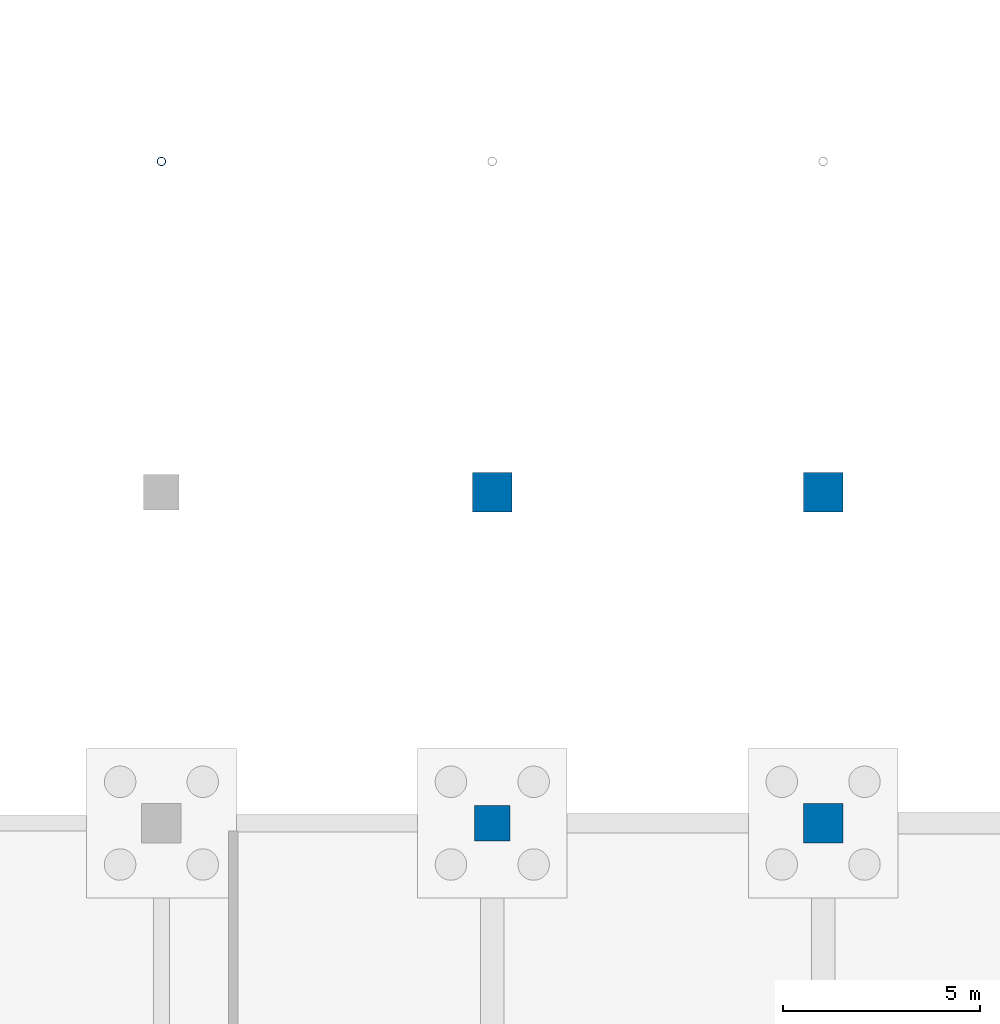
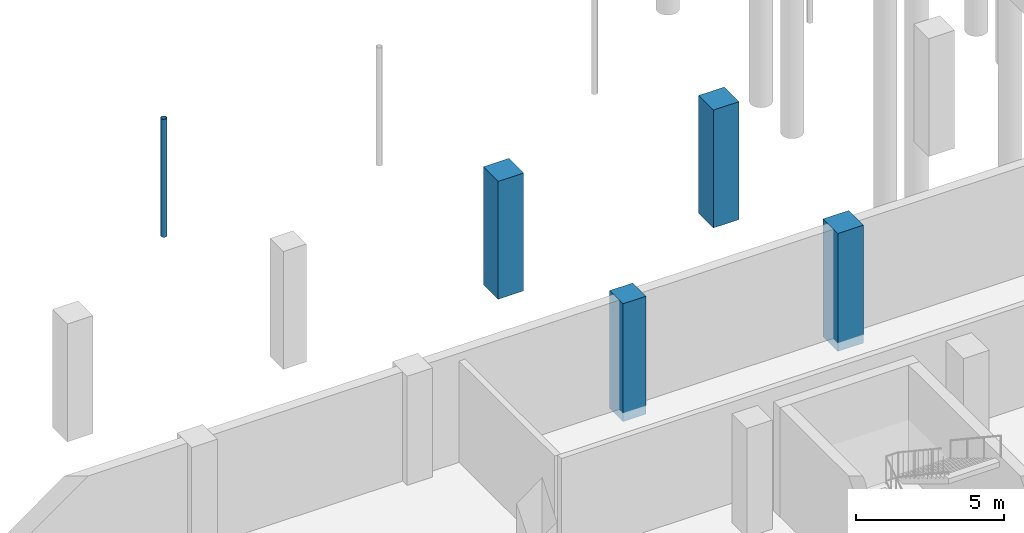
# One storey, part 16 of 39: 5 columns.
"""IFC4 building model written with IfcOpenShell, lengths in metres."""

from ifc_helpers import new_model, si_unit, derived_unit, direction, frame, origin, origin_2d, place, context, subcontext, project, spatial, rectangle, hollow_circle, extrude, material, material_profile, profile_set, type_object, element, save


model = new_model("IFC4")

# Units and contexts
model_context = context("Model", 3, precision=1e-05, world=origin(), true_north=direction((0.0, 1.0)))
body_context = subcontext(model_context, "Body", "Model", "MODEL_VIEW")
ifc_project = project(units=[si_unit("LENGTHUNIT", "METRE"), si_unit("AREAUNIT", "SQUARE_METRE"), si_unit("VOLUMEUNIT", "CUBIC_METRE"), si_unit("PLANEANGLEUNIT", "RADIAN"), si_unit("MASSUNIT", "GRAM", prefix="KILO"), derived_unit("THERMALTRANSMITTANCEUNIT", [(si_unit("POWERUNIT", "WATT"), 1), (si_unit("LENGTHUNIT", "METRE"), -2), (si_unit("THERMODYNAMICTEMPERATUREUNIT", "KELVIN"), -1)])], contexts=[model_context])

# Site, building, storey
site_placement = place(None, origin())
site = spatial("IfcSite", under=ifc_project, at=site_placement, CompositionType="ELEMENT")
building_placement = place(site_placement, origin())
building = spatial("IfcBuilding", under=site, at=building_placement, Name="Barrovel Congress Hotel", CompositionType="ELEMENT")
storey_placement = place(building_placement, frame((0.0, 0.0, -4.5)))
storey = spatial("IfcBuildingStorey", under=building, at=storey_placement, Name="B01", CompositionType="ELEMENT", Elevation=-4.5)

# Columns
ifc_material_1 = material(Name="Concrete C50", Category="concrete")
ifc_material_profile_1 = material_profile(ifc_material_1, rectangle(XDim=1.0, YDim=1.0, at=origin_2d()), Name="RC1000x1000")
ifc_profile_set_1 = profile_set([ifc_material_profile_1], Name="Concrete C50")
column_type_1 = type_object("IfcColumnType", Name="COL-RC1000x1000", PredefinedType="COLUMN", material=ifc_profile_set_1)
for number, where, z_axis, x_axis, name in (
    (1, (100.800048828125, 37.800048828125, -0.360107421875), (0.0, 0.0, 1.0), (1.0, 0.0, 0.0), "COL:B01:100.8:37.8"),
    (2, (109.199951171875, 29.39990234375, -0.360107421875), (0.0, 0.0, 1.0), (1.0, 0.0, 0.0), "COL:B01:109.2:29.4"),
    (3, (109.199951171875, 37.800048828125, -0.360107421875), (0.0, 0.0, 1.0), (1.0, 0.0, 0.0), "COL:B01:109.2:37.8"),
):
    element("IfcColumn", number, at=place(storey_placement, frame(where, z_axis=z_axis, x_axis=x_axis)), inside=storey, type_object=column_type_1, Name=name, PredefinedType="COLUMN", context=body_context, shape_type="SweptSolid", body=[
        extrude(rectangle(XDim=1.0, YDim=1.0, at=origin_2d()), origin(), (0.0, 0.0, 1.0), 4.860107421875),
    ])
ifc_material_2 = material(Name="Concrete C40", Category="concrete")
ifc_material_profile_2 = material_profile(ifc_material_2, rectangle(XDim=0.89990234375, YDim=0.89990234375, at=origin_2d()), Name="RC900x900")
ifc_profile_set_2 = profile_set([ifc_material_profile_2], Name="Concrete C40")
column_type_2 = type_object("IfcColumnType", Name="COL-RC900x900", PredefinedType="COLUMN", material=ifc_profile_set_2)
column_1_placement = place(storey_placement, frame((100.800048828125, 29.39990234375, -0.360107421875), z_axis=(0.0, 0.0, 1.0), x_axis=(1.0, 0.0, 0.0)))
element("IfcColumn", 4, at=column_1_placement, inside=storey, type_object=column_type_2, Name="COL:B01:100.8:29.4", PredefinedType="COLUMN", context=body_context, shape_type="SweptSolid", body=[
    extrude(rectangle(XDim=0.89990234375, YDim=0.89990234375, at=origin_2d()), origin(), (0.0, 0.0, 1.0), 4.860107421875),
])
ifc_material_3 = material(Name="Steel ASTM A500 Grade C", Category="steel")
ifc_material_profile_3 = material_profile(ifc_material_3, hollow_circle(Radius=0.109619140625, WallThickness=0.0087890625, at=origin_2d()), Name="CHS219.1x9.5")
ifc_profile_set_3 = profile_set([ifc_material_profile_3], Name="Steel ASTM A500 Grade C")
column_type_3 = type_object("IfcColumnType", Name="SCOL-CHS219.1x9.5", PredefinedType="COLUMN", material=ifc_profile_set_3)
column_2_placement = place(storey_placement, frame((92.39990234375, 46.199951171875, -0.360107421875), z_axis=(0.0, 0.0, 1.0), x_axis=(1.0, 0.0, 0.0)))
element("IfcColumn", 5, at=column_2_placement, inside=storey, type_object=column_type_3, Name="COL:B01:92.4:46.2", PredefinedType="COLUMN", context=body_context, shape_type="SweptSolid", body=[
    extrude(hollow_circle(Radius=0.109619140625, WallThickness=0.0087890625, at=origin_2d()), origin(), (0.0, 0.0, 1.0), 4.860107421875),
])

save(model, "model.ifc")
